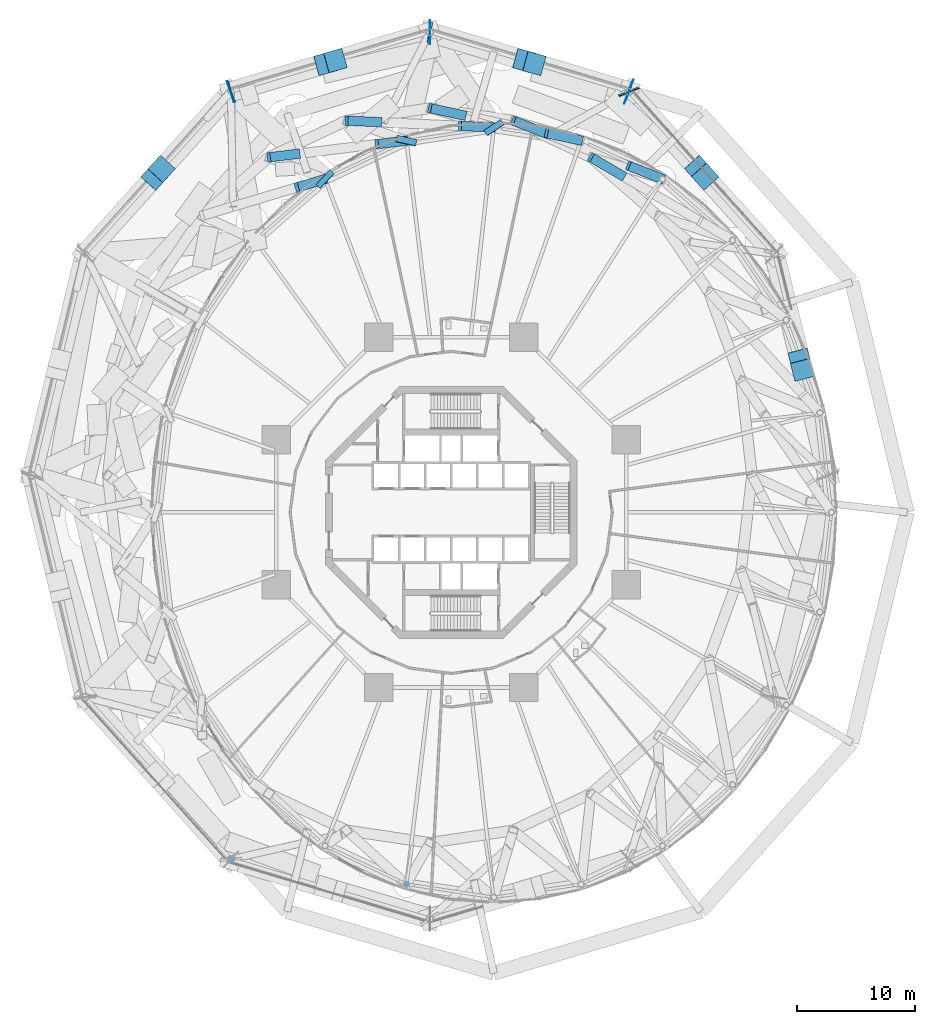
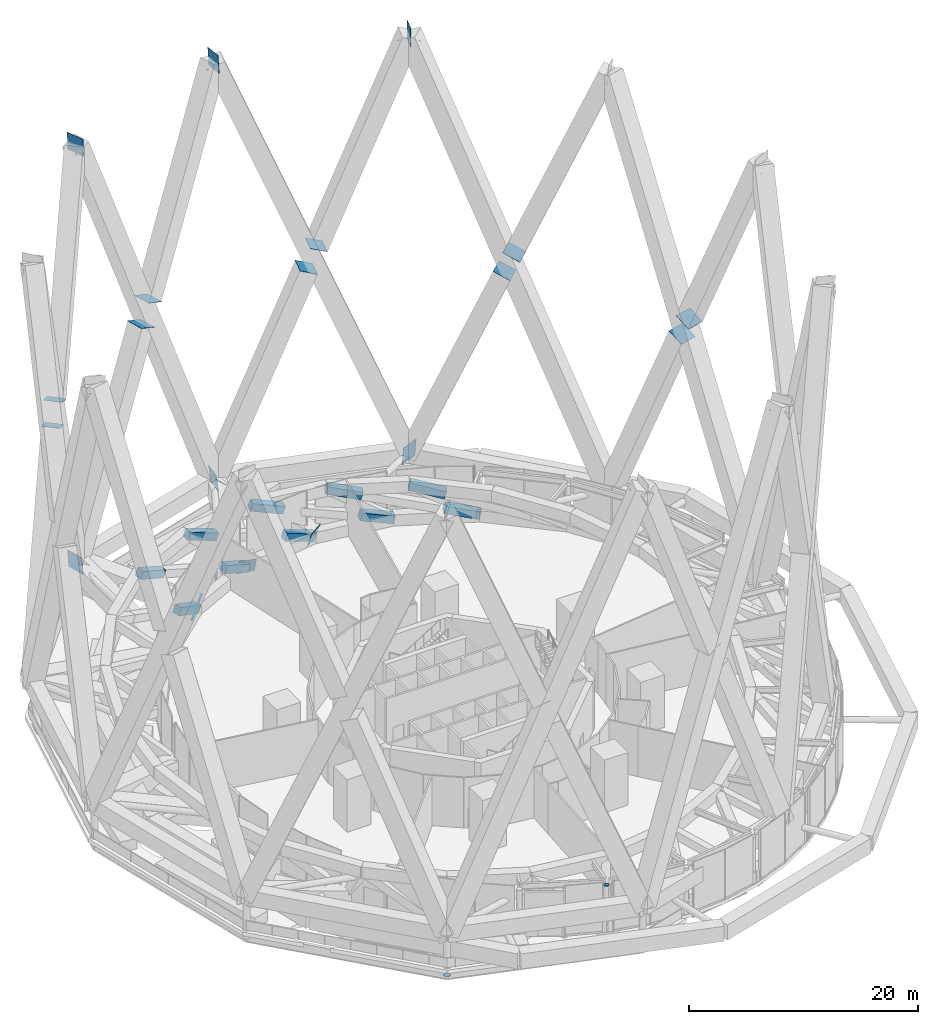
# One storey, part 43 of 51: 31 discrete accessories.
"""IFC4 building model written with IfcOpenShell, lengths in metres."""

import ifcopenshell
import ifcopenshell.guid

model = None  # the IFC model being written
_history = None  # IfcOwnerHistory: only IFC2X3 demands one
_inside = {}  # id of a spatial element -> (the spatial element, [elements in it])
_under = {}  # id of a project, library or spatial element -> (it, [spatial elements below it])
_declared = {}  # id of a project -> (the project, [libraries it declares])
_typed = {}  # id of a type object -> (the type object, [elements of that type])
_made_of = {}  # id of a material, layer set ... -> (it, [elements and type objects made of it])


def new_model(schema):
    """Start an empty IFC model of exactly this schema.

    Asked for "IFC4X3", IfcOpenShell would pick the latest addendum, in which some entities
    have other attributes; the version numbers below select the first issue.
    IFC2X3 requires an IfcOwnerHistory on every rooted entity: one is made here for all.
    """
    global model, _history
    if schema == "IFC4X3":
        model = ifcopenshell.file(schema_version=(4, 3, 0, 0))
    else:
        model = ifcopenshell.file(schema=schema)
    _inside.clear()
    _under.clear()
    _declared.clear()
    _typed.clear()
    _made_of.clear()
    _history = None
    if model.schema == "IFC2X3":
        org = make("IfcOrganization", Name="unknown")
        user = make(
            "IfcPersonAndOrganization",
            ThePerson=make("IfcPerson", FamilyName="unknown"),
            TheOrganization=org,
        )
        app = make(
            "IfcApplication",
            ApplicationDeveloper=org,
            Version="unknown",
            ApplicationFullName="unknown",
            ApplicationIdentifier="unknown",
        )
        _history = make(
            "IfcOwnerHistory",
            OwningUser=user,
            OwningApplication=app,
            ChangeAction="ADDED",
            CreationDate=0,
        )
    return model


def make(cls, **values):
    """One entity of the class cls with the attributes given. An attribute that is None is left unset."""
    return model.create_entity(
        cls, **{name: value for name, value in values.items() if value is not None}
    )


def rooted(cls, **values):
    """An entity with a GlobalId (a new one), such as an element, a storey or a relation."""
    return make(cls, GlobalId=ifcopenshell.guid.new(), OwnerHistory=_history, **values)


def si_unit(unit_type, name, prefix=None):
    """IfcSIUnit, for example si_unit("LENGTHUNIT", "METRE", prefix="MILLI")."""
    return make("IfcSIUnit", UnitType=unit_type, Prefix=prefix, Name=name)


def assignment(units):
    """IfcUnitAssignment: the units of a project."""
    return None if units is None else make("IfcUnitAssignment", Units=units)


def point(xyz):
    """IfcCartesianPoint."""
    return None if xyz is None else make("IfcCartesianPoint", Coordinates=xyz)


def direction(xyz):
    """IfcDirection."""
    return None if xyz is None else make("IfcDirection", DirectionRatios=xyz)


def frame(location, z_axis=None, x_axis=None):
    """IfcAxis2Placement3D, a coordinate frame: its origin and axes. An axis left out is left unset."""
    return make(
        "IfcAxis2Placement3D",
        Location=point(location),
        Axis=direction(z_axis),
        RefDirection=direction(x_axis),
    )


def frame_2d(location, x_axis=None):
    """IfcAxis2Placement2D, a coordinate frame in the plane: its origin and x axis."""
    return make(
        "IfcAxis2Placement2D", Location=point(location), RefDirection=direction(x_axis)
    )


def origin():
    """The frame at (0, 0, 0) with its axes left unset."""
    return frame((0.0, 0.0, 0.0))


def origin_2d():
    """The frame at (0, 0) in the plane with its x axis left unset."""
    return frame_2d((0.0, 0.0))


def place(relative_to, where):
    """IfcLocalPlacement: puts the frame where relative to a parent placement (None: the world)."""
    return make(
        "IfcLocalPlacement", PlacementRelTo=relative_to, RelativePlacement=where
    )


def context(
    kind, dimensions, precision=None, world=None, true_north=None, identifier=None
):
    """IfcGeometricRepresentationContext, for example the 3D "Model" context."""
    return make(
        "IfcGeometricRepresentationContext",
        ContextIdentifier=identifier,
        ContextType=kind,
        CoordinateSpaceDimension=dimensions,
        Precision=precision,
        WorldCoordinateSystem=world,
        TrueNorth=true_north,
    )


def subcontext(parent, identifier, kind, view, scale=None):
    """IfcGeometricRepresentationSubContext, for example "Body" below "Model"."""
    return make(
        "IfcGeometricRepresentationSubContext",
        ContextIdentifier=identifier,
        ContextType=kind,
        ParentContext=parent,
        TargetScale=scale,
        TargetView=view,
    )


def project(units=None, contexts=None):
    """IfcProject with its units and contexts."""
    return rooted(
        "IfcProject",
        Name="project",
        RepresentationContexts=contexts,
        UnitsInContext=assignment(units),
    )


def spatial(cls, under=None, at=None, **own):
    """A site, building, storey or space (cls), placed at a placement, below another one or the project."""
    s = rooted(cls, ObjectPlacement=at, **own)
    if under is not None:
        _under.setdefault(under.id(), (under, []))[1].append(s)
    return s


def profile(cls, at=None, kind="AREA", **sizes):
    """A parametric profile (cls). Its sizes go by their IFC names, for example OverallWidth=200.0."""
    return make(cls, ProfileType=kind, Position=at, **sizes)


def rectangle(**sizes):
    """IfcRectangleProfileDef."""
    return profile("IfcRectangleProfileDef", **sizes)


def circle(**sizes):
    """IfcCircleProfileDef."""
    return profile("IfcCircleProfileDef", **sizes)


def extrude(swept, where, along, depth):
    """IfcExtrudedAreaSolid: the profile swept, set in the frame where, extruded along a direction by depth."""
    return make(
        "IfcExtrudedAreaSolid",
        SweptArea=swept,
        Position=where,
        ExtrudedDirection=direction(along),
        Depth=depth,
    )


def shape(context_of_items, identifier, shape_type, items):
    """IfcShapeRepresentation: the items that make up one representation, for example the "Body"."""
    return make(
        "IfcShapeRepresentation",
        ContextOfItems=context_of_items,
        RepresentationIdentifier=identifier,
        RepresentationType=shape_type,
        Items=items,
    )


def material(Name=None, Category=None):
    """IfcMaterial."""
    return make("IfcMaterial", Name=Name, Category=Category)


def layer(
    of_material, thickness, ventilated=None, Name=None, Category=None, Priority=None
):
    """IfcMaterialLayer: one layer of a wall or slab, of a material (None: an air gap)."""
    return make(
        "IfcMaterialLayer",
        Material=of_material,
        LayerThickness=thickness,
        IsVentilated=ventilated,
        Name=Name,
        Category=Category,
        Priority=Priority,
    )


def layer_set(layers, Name=None):
    """IfcMaterialLayerSet."""
    return make("IfcMaterialLayerSet", MaterialLayers=layers, LayerSetName=Name)


def made_of(thing, what):
    """Note that an element or type object is made of a material, layer set ...; save() writes the relation."""
    if what is not None:
        _made_of.setdefault(what.id(), (what, []))[1].append(thing)
    return thing


def type_object(cls, material=None, **own):
    """A type object (cls), such as IfcWallType, which elements share."""
    return made_of(rooted(cls, **own), material)


def element(
    cls,
    number,
    at=None,
    inside=None,
    cuts=None,
    type_object=None,
    material=None,
    context=None,
    identifier="Body",
    shape_type=None,
    held_by="IfcProductDefinitionShape",
    body=None,
    shapes=None,
    **own,
):
    """One element of the class cls, such as IfcWall. Its Tag is "e" and its number.

    at: its placement. inside: the storey or other place that contains it. cuts: it is an
    opening in that element (IfcRelVoidsElement). A single representation is given by context,
    identifier, shape_type and body (its items); several are given by shapes. held_by: the class
    of the entity that holds the representations. save() writes the other relations.
    """
    e = rooted(cls, Tag="e%d" % number, ObjectPlacement=at, **own)
    if body is not None:
        shapes = [shape(context, identifier, shape_type, body)]
    if shapes is not None:
        e.Representation = make(held_by, Representations=shapes)
    if inside is not None:
        _inside.setdefault(inside.id(), (inside, []))[1].append(e)
    if cuts is not None:
        rooted(
            "IfcRelVoidsElement", RelatingBuildingElement=cuts, RelatedOpeningElement=e
        )
    if type_object is not None:
        _typed.setdefault(type_object.id(), (type_object, []))[1].append(e)
    return made_of(e, material)


def aggregate(whole, parts):
    """IfcRelAggregates: a whole, such as a stair, and the parts it consists of."""
    return rooted("IfcRelAggregates", RelatingObject=whole, RelatedObjects=parts)


def save(model, path):
    """Write the relations noted so far, then the file.

    IfcRelAggregates (storeys below a building ...), IfcRelContainedInSpatialStructure (elements
    in a storey), IfcRelDefinesByType, IfcRelAssociatesMaterial and IfcRelDeclares: one each for
    every whole, place, type object, material and project.
    """
    for whole, parts in _under.values():
        aggregate(whole, parts)
    for where, things in _inside.values():
        rooted(
            "IfcRelContainedInSpatialStructure",
            RelatedElements=things,
            RelatingStructure=where,
        )
    for kind, things in _typed.values():
        rooted("IfcRelDefinesByType", RelatedObjects=things, RelatingType=kind)
    for what, things in _made_of.values():
        rooted("IfcRelAssociatesMaterial", RelatedObjects=things, RelatingMaterial=what)
    for by, libraries in _declared.values():
        rooted("IfcRelDeclares", RelatingContext=by, RelatedDefinitions=libraries)
    model.write(path)


model = new_model("IFC4")

# Units and contexts
model_context = context("Model", 3, precision=1e-05, world=origin(), true_north=direction((0.0, 1.0)))
body_context = subcontext(model_context, "Body", "Model", "MODEL_VIEW")
ifc_project = project(units=[si_unit("LENGTHUNIT", "METRE"), si_unit("AREAUNIT", "SQUARE_METRE"), si_unit("VOLUMEUNIT", "CUBIC_METRE"), si_unit("PLANEANGLEUNIT", "RADIAN"), si_unit("MASSUNIT", "GRAM", prefix="KILO")], contexts=[model_context])

# Site, building, storey
site_placement = place(None, origin())
site = spatial("IfcSite", under=ifc_project, at=site_placement, CompositionType="ELEMENT")
building_placement = place(site_placement, origin())
building = spatial("IfcBuilding", under=site, at=building_placement, Name="Nagisa Residences", CompositionType="ELEMENT")
storey_placement = place(building_placement, frame((0.0, 0.0, 67.699951171875)))
storey = spatial("IfcBuildingStorey", under=building, at=storey_placement, Name="L16", CompositionType="ELEMENT", Elevation=67.699951171875)

# Discrete accessories
ifc_material_1 = material(Name="Steel ASTM A572 Gr 50", Category="steel")
discrete_accessory_type_1 = type_object("IfcDiscreteAccessoryType", Name="Belt node casting BX 800x800x45", PredefinedType="BRACKET", material=ifc_material_1)
discrete_accessory_1_placement = place(storey_placement, frame((14.540771484375, 28.3720703125, 3.7900390625), z_axis=(-0.826911447865, 0.483959565785, 0.286357462054), x_axis=(-0.505112223986, -0.863053672248, 0.0)))
element("IfcDiscreteAccessory", 1, at=discrete_accessory_1_placement, inside=storey, type_object=discrete_accessory_type_1, Name="Belt node 1E04", PredefinedType="BRACKET", context=body_context, shape_type="SweptSolid", body=[
    extrude(rectangle(XDim=0.800048828125, YDim=0.800048828125, at=origin_2d()), origin(), (0.0, 0.0, 1.0), 3.3173828125),
])
for number, where, z_axis, x_axis, name in (
    (2, (17.85009765625, 28.145751953125, 0.60009765625), (-0.890671279055, 0.348183795102, 0.292357174524), (-0.364091233012, -0.931363287898, 0.0), "Belt node 1E05"),
    (3, (8.132568359375, 31.944580078125, 3.7900390625), (-0.890671279055, 0.348183795102, 0.292357174524), (-0.364091233012, -0.931363287898, 0.0), "Belt node 1E05"),
):
    element("IfcDiscreteAccessory", number, at=place(storey_placement, frame(where, z_axis=z_axis, x_axis=x_axis)), inside=storey, type_object=discrete_accessory_type_1, Name=name, PredefinedType="BRACKET", context=body_context, shape_type="SweptSolid", body=[
        extrude(rectangle(XDim=0.800048828125, YDim=0.800048828125, at=origin_2d()), origin(), (0.0, 0.0, 1.0), 3.249267578125),
    ])
discrete_accessory_2_placement = place(storey_placement, frame((10.976318359375, 31.392578125, 0.60009765625), z_axis=(-0.932106643794, 0.19988129645, 0.302034223101), x_axis=(-0.209673668425, -0.977771421534, 0.0)))
element("IfcDiscreteAccessory", 4, at=discrete_accessory_2_placement, inside=storey, type_object=discrete_accessory_type_1, Name="Belt node 1E06", PredefinedType="BRACKET", context=body_context, shape_type="SweptSolid", body=[
    extrude(rectangle(XDim=0.800048828125, YDim=0.800048828125, at=origin_2d()), origin(), (0.0, 0.0, 1.0), 3.145263671875),
])
discrete_accessory_3_placement = place(storey_placement, frame((1.1318359375, 33.50390625, 3.7900390625), z_axis=(-0.932102362482, 0.199941351133, 0.302007685271), x_axis=(-0.209734815487, -0.977758307136, 0.0)))
element("IfcDiscreteAccessory", 5, at=discrete_accessory_3_placement, inside=storey, type_object=discrete_accessory_type_1, Name="Belt node 1E06", PredefinedType="BRACKET", context=body_context, shape_type="SweptSolid", body=[
    extrude(rectangle(XDim=0.800048828125, YDim=0.800048828125, at=origin_2d()), origin(), (0.0, 0.0, 1.0), 3.1455078125),
])
for number, where, z_axis, x_axis, name in (
    (6, (3.60009765625, 32.5, 0.60009765625), (-0.947916015281, 0.043864730499, 0.315485520098), (-0.046225445959, -0.998931032727, 0.0), "Belt node 1E07"),
    (7, (-5.984375, 32.94384765625, 3.7900390625), (-0.947916015281, 0.043864730499, 0.315485520098), (-0.046225445959, -0.998931032727, 0.0), "Belt node 1E07"),
):
    element("IfcDiscreteAccessory", number, at=place(storey_placement, frame(where, z_axis=z_axis, x_axis=x_axis)), inside=storey, type_object=discrete_accessory_type_1, Name=name, PredefinedType="BRACKET", context=body_context, shape_type="SweptSolid", body=[
        extrude(rectangle(XDim=0.800048828125, YDim=0.800048828125, at=origin_2d()), origin(), (0.0, 0.0, 1.0), 3.010986328125),
    ])
for number, where, z_axis, x_axis, name in (
    (8, (-3.7763671875, 31.392578125, 0.60009765625), (-0.935886200312, -0.113956240163, 0.333363158422), (0.120870197196, -0.992668320956, 0.0), "Belt node 1E08"),
    (9, (-12.899169921875, 30.28173828125, 3.85009765625), (-0.935886200312, -0.113956240163, 0.333363158422), (0.120870197196, -0.992668320956, 0.0), "Belt node 1E08"),
):
    element("IfcDiscreteAccessory", number, at=place(storey_placement, frame(where, z_axis=z_axis, x_axis=x_axis)), inside=storey, type_object=discrete_accessory_type_1, Name=name, PredefinedType="BRACKET", context=body_context, shape_type="SweptSolid", body=[
        extrude(rectangle(XDim=0.800048828125, YDim=0.800048828125, at=origin_2d()), origin(), (0.0, 0.0, 1.0), 2.66943359375),
    ])
discrete_accessory_4_placement = place(storey_placement, frame((-10.64990234375, 28.145751953125, 0.60009765625), z_axis=(-0.895108639101, -0.267082948793, 0.356997510736), x_axis=(0.285923801863, -0.958252356913, 0.0)))
element("IfcDiscreteAccessory", 10, at=discrete_accessory_4_placement, inside=storey, type_object=discrete_accessory_type_1, Name="Belt node 1E09", PredefinedType="BRACKET", context=body_context, shape_type="SweptSolid", body=[
    extrude(rectangle(XDim=0.800048828125, YDim=0.800048828125, at=origin_2d()), origin(), (0.0, 0.0, 1.0), 2.660888671875),
])
ifc_material_2 = material(Name="Steel ASTM A572 Gr 50", Category="steel")
ifc_layer_1 = layer(ifc_material_2, 0.030029296875)
ifc_layer_set_1 = layer_set([ifc_layer_1], Name="End plate")
discrete_accessory_type_2 = type_object("IfcDiscreteAccessoryType", Name="End plate", PredefinedType="ANCHORPLATE", material=ifc_layer_set_1)
discrete_accessory_5_placement = place(storey_placement, frame((-18.597412109375, -29.28466796875, -0.889892578125), z_axis=(0.0, 0.0, -1.0), x_axis=(1.0, 0.0, 0.0)))
element("IfcDiscreteAccessory", 11, at=discrete_accessory_5_placement, inside=storey, type_object=discrete_accessory_type_2, Name="End plate DH108", PredefinedType="ANCHORPLATE", context=body_context, shape_type="SweptSolid", body=[
    extrude(circle(Radius=0.304931640625, at=origin_2d()), origin(), (0.0, 0.0, 1.0), 0.030029296875),
])
discrete_accessory_6_placement = place(storey_placement, frame((-3.7763671875, -31.392578125, 4.737060546875), z_axis=(0.0, 0.0, 1.0), x_axis=(1.0, 0.0, 0.0)))
element("IfcDiscreteAccessory", 12, at=discrete_accessory_6_placement, inside=storey, type_object=discrete_accessory_type_2, Name="End plate GP118", PredefinedType="ANCHORPLATE", context=body_context, shape_type="SweptSolid", body=[
    extrude(circle(Radius=0.25390625, at=origin_2d()), origin(), (0.0, 0.0, 1.0), 0.030029296875),
])
ifc_material_3 = material(Name="Steel ASTM A572 Gr 50", Category="steel")
ifc_layer_2 = layer(ifc_material_3, 0.030029296875)
ifc_layer_set_2 = layer_set([ifc_layer_2], Name="Node plate")
discrete_accessory_type_3 = type_object("IfcDiscreteAccessoryType", Name="Node plate", PredefinedType="ANCHORPLATE", material=ifc_layer_set_2)
for number, where, z_axis, x_axis, name in (
    (13, (15.003173828125, 35.506103515625, 3.698974609375), (-0.373195211605, 0.924875089629, 0.073016454444), (-0.927040470784, -0.374835539587, 0.009709984103), "Node plate ST2B03"),
    (14, (-1.814697265625, 40.53466796875, 3.6982421875), (0.983967498493, -0.130111404759, 0.121979441962), (-0.13612464161, -0.989788347052, 0.042297872132), "Node plate ST2B04"),
    (15, (-18.5830078125, 35.52392578125, 3.700927734375), (-0.964139743872, -0.25926446894, -0.056714102581), (0.258890056956, -0.965805615219, 0.013980415614), "Node plate ST2B05"),
):
    element("IfcDiscreteAccessory", number, at=place(storey_placement, frame(where, z_axis=z_axis, x_axis=x_axis)), inside=storey, type_object=discrete_accessory_type_3, Name=name, PredefinedType="ANCHORPLATE", context=body_context, shape_type="SweptSolid", body=[
        extrude(rectangle(XDim=1.820068359375, YDim=1.820068359375, at=origin_2d()), origin(), (0.0, 0.0, 1.0), 0.030029296875),
    ])
for number, where, z_axis, x_axis, name in (
    (16, (-3.7763671875, 31.392578125, 0.60009765625), (-0.203164763871, -0.92643132325, -0.316937031638), (0.976788088345, -0.214207914111, 0.0), "Node plate OB201"),
    (17, (3.60009765625, 32.5, 0.60009765625), (0.529348256696, -0.789950475377, -0.309465134684), (0.830730373173, 0.556674992332, 0.0), "Node plate OB202"),
):
    element("IfcDiscreteAccessory", number, at=place(storey_placement, frame(where, z_axis=z_axis, x_axis=x_axis)), inside=storey, type_object=discrete_accessory_type_3, Name=name, PredefinedType="ANCHORPLATE", context=body_context, shape_type="SweptSolid", body=[
        extrude(rectangle(XDim=1.699951171875, YDim=1.699951171875, at=origin_2d()), origin(), (0.0, 0.0, 1.0), 0.030029296875),
    ])
discrete_accessory_7_placement = place(storey_placement, frame((-10.64990234375, 28.145751953125, 0.60009765625), z_axis=(0.703313262502, -0.654244895351, -0.278054080524), x_axis=(0.681103942477, 0.732186738163, 0.0)))
element("IfcDiscreteAccessory", 18, at=discrete_accessory_7_placement, inside=storey, type_object=discrete_accessory_type_3, Name="Node plate OB203", PredefinedType="ANCHORPLATE", context=body_context, shape_type="SweptSolid", body=[
    extrude(rectangle(XDim=1.699951171875, YDim=1.699951171875, at=origin_2d()), origin(), (0.0, 0.0, 1.0), 0.02978515625),
])
discrete_accessory_8_placement = place(storey_placement, frame((29.43798828125, 12.913818359375, 24.8974609375), z_axis=(0.09758355357, -0.382202251481, 0.918911796113), x_axis=(0.968917710624, 0.247383245266, 0.0)))
element("IfcDiscreteAccessory", 19, at=discrete_accessory_8_placement, inside=storey, type_object=discrete_accessory_type_3, Name="Node plate CD2002A", PredefinedType="ANCHORPLATE", context=body_context, shape_type="SweptSolid", body=[
    extrude(rectangle(XDim=1.699951171875, YDim=1.699951171875, at=origin_2d()), origin(), (0.0, 0.0, 1.0), 0.030029296875),
])
discrete_accessory_9_placement = place(storey_placement, frame((29.651123046875, 12.029052734375, 27.00244140625), z_axis=(-0.098317728718, 0.385077770814, -0.917632134706), x_axis=(-0.968917710624, -0.247383245266, 0.0)))
element("IfcDiscreteAccessory", 20, at=discrete_accessory_9_placement, inside=storey, type_object=discrete_accessory_type_3, Name="Node plate CD2002B", PredefinedType="ANCHORPLATE", context=body_context, shape_type="SweptSolid", body=[
    extrude(rectangle(XDim=1.699951171875, YDim=1.699951171875, at=origin_2d()), origin(), (0.0, 0.0, 1.0), 0.02978515625),
])
discrete_accessory_10_placement = place(storey_placement, frame((15.011474609375, 35.514892578125, 48.19970703125), z_axis=(-0.939033672399, 0.34295142818, 0.024496530584), x_axis=(-0.088477873512, -0.172183462672, -0.981083340538)))
element("IfcDiscreteAccessory", 21, at=discrete_accessory_10_placement, inside=storey, type_object=discrete_accessory_type_3, Name="Node plate CD2003", PredefinedType="ANCHORPLATE", context=body_context, shape_type="SweptSolid", body=[
    extrude(rectangle(XDim=1.820068359375, YDim=1.820068359375, at=origin_2d()), origin(), (0.0, 0.0, 1.0), 0.02978515625),
])
discrete_accessory_11_placement = place(storey_placement, frame((20.84375, 29.009033203125, 24.8564453125), z_axis=(0.251592215957, -0.284055727693, 0.925210084486), x_axis=(0.748588180173, 0.663035245296, 0.0)))
element("IfcDiscreteAccessory", 22, at=discrete_accessory_11_placement, inside=storey, type_object=discrete_accessory_type_3, Name="Node plate CD2004A", PredefinedType="ANCHORPLATE", context=body_context, shape_type="SweptSolid", body=[
    extrude(rectangle(XDim=1.699951171875, YDim=1.699951171875, at=origin_2d()), origin(), (0.0, 0.0, 1.0), 0.030029296875),
])
discrete_accessory_12_placement = place(storey_placement, frame((21.447998046875, 28.336181640625, 27.04345703125), z_axis=(-0.253494467399, 0.286203430934, -0.924028219872), x_axis=(-0.748588180173, -0.663035245296, 0.0)))
element("IfcDiscreteAccessory", 23, at=discrete_accessory_12_placement, inside=storey, type_object=discrete_accessory_type_3, Name="Node plate CD2004B", PredefinedType="ANCHORPLATE", context=body_context, shape_type="SweptSolid", body=[
    extrude(rectangle(XDim=1.699951171875, YDim=1.699951171875, at=origin_2d()), origin(), (0.0, 0.0, 1.0), 0.02978515625),
])
discrete_accessory_13_placement = place(storey_placement, frame((-1.784912109375, 40.53271484375, 48.199951171875), z_axis=(-1.0, 0.0, 0.0), x_axis=(0.0, -0.111936112025, -0.993715405347)))
element("IfcDiscreteAccessory", 24, at=discrete_accessory_13_placement, inside=storey, type_object=discrete_accessory_type_3, Name="Node plate CD2005", PredefinedType="ANCHORPLATE", context=body_context, shape_type="SweptSolid", body=[
    extrude(rectangle(XDim=1.820068359375, YDim=1.820068359375, at=origin_2d()), origin(), (0.0, 0.0, 1.0), 0.030029296875),
])
for number, where, z_axis, x_axis, name in (
    (25, (6.16796875, 38.15478515625, 24.80908203125), (0.35835181801, -0.097732314003, 0.928456983025), (0.263117405792, 0.964763821238, 0.0), "Node plate CD2006A"),
    (26, (7.029541015625, 37.89794921875, 27.091064453125), (-0.35835181801, 0.097732314003, -0.928456983025), (-0.263117405792, -0.964763821238, 0.0), "Node plate CD2006B"),
):
    element("IfcDiscreteAccessory", number, at=place(storey_placement, frame(where, z_axis=z_axis, x_axis=x_axis)), inside=storey, type_object=discrete_accessory_type_3, Name=name, PredefinedType="ANCHORPLATE", context=body_context, shape_type="SweptSolid", body=[
        extrude(rectangle(XDim=1.699951171875, YDim=1.699951171875, at=origin_2d()), origin(), (0.0, 0.0, 1.0), 0.030029296875),
    ])
discrete_accessory_14_placement = place(storey_placement, frame((-18.58349609375, 35.525146484375, 48.200439453125), z_axis=(-0.939033672399, -0.34295142818, -0.024496530584), x_axis=(0.031056877198, -0.01364922908, -0.999424418815)))
element("IfcDiscreteAccessory", 27, at=discrete_accessory_14_placement, inside=storey, type_object=discrete_accessory_type_3, Name="Node plate CD2007", PredefinedType="ANCHORPLATE", context=body_context, shape_type="SweptSolid", body=[
    extrude(rectangle(XDim=1.820068359375, YDim=1.820068359375, at=origin_2d()), origin(), (0.0, 0.0, 1.0), 0.02978515625),
])
for number, where, z_axis, x_axis, name in (
    (28, (-10.62939453125, 37.89794921875, 24.80908203125), (0.35122233494, 0.098015535332, 0.931147585656), (-0.268798967814, 0.963196301333, 0.0), "Node plate CD2008A"),
    (29, (-9.76806640625, 38.15478515625, 27.091064453125), (-0.35122233494, -0.098015535332, -0.931147585656), (0.268798967814, -0.963196301333, 0.0), "Node plate CD2008B"),
):
    element("IfcDiscreteAccessory", number, at=place(storey_placement, frame(where, z_axis=z_axis, x_axis=x_axis)), inside=storey, type_object=discrete_accessory_type_3, Name=name, PredefinedType="ANCHORPLATE", context=body_context, shape_type="SweptSolid", body=[
        extrude(rectangle(XDim=1.699951171875, YDim=1.699951171875, at=origin_2d()), origin(), (0.0, 0.0, 1.0), 0.02978515625),
    ])
for number, where, z_axis, x_axis, name in (
    (30, (-25.048095703125, 28.336181640625, 24.8564453125), (0.259170916176, 0.283468189567, 0.923296388876), (-0.738028812002, 0.674769199545, 0.0), "Node plate CD2010A"),
    (31, (-24.443603515625, 29.009033203125, 27.04345703125), (-0.261122279503, -0.285602493206, -0.922088049495), (0.738028812002, -0.674769199545, 0.0), "Node plate CD2010B"),
):
    element("IfcDiscreteAccessory", number, at=place(storey_placement, frame(where, z_axis=z_axis, x_axis=x_axis)), inside=storey, type_object=discrete_accessory_type_3, Name=name, PredefinedType="ANCHORPLATE", context=body_context, shape_type="SweptSolid", body=[
        extrude(rectangle(XDim=1.699951171875, YDim=1.699951171875, at=origin_2d()), origin(), (0.0, 0.0, 1.0), 0.030029296875),
    ])

save(model, "model.ifc")
